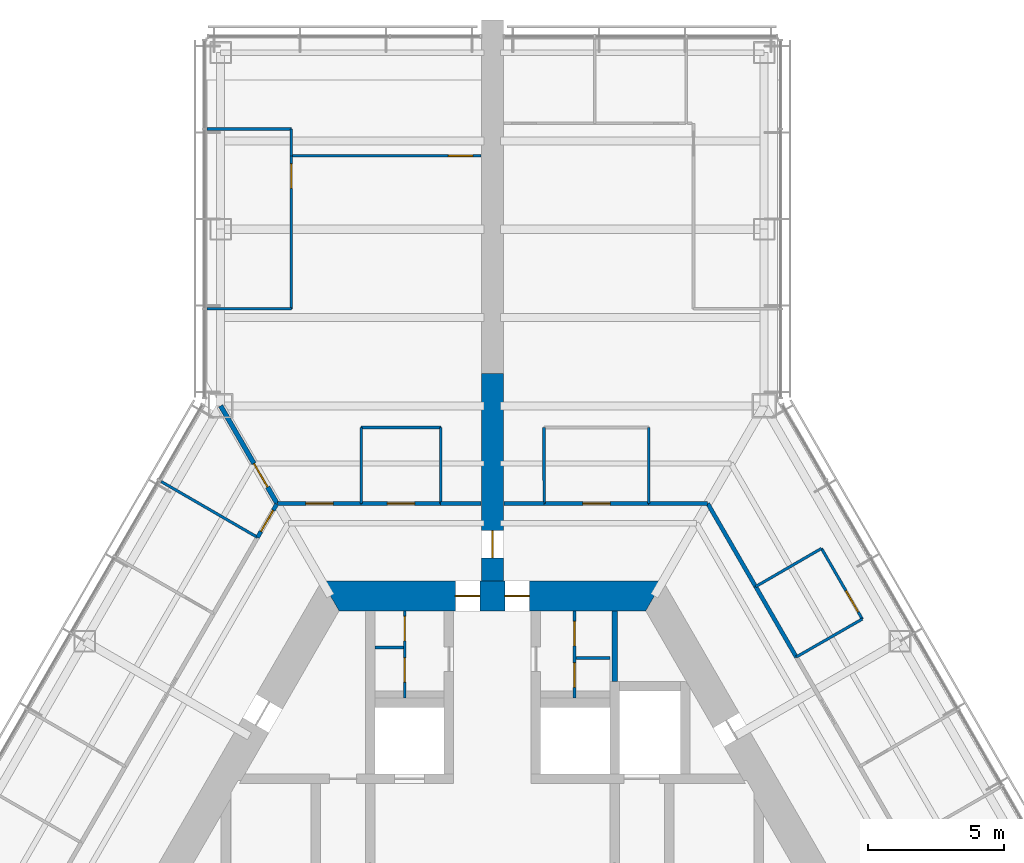
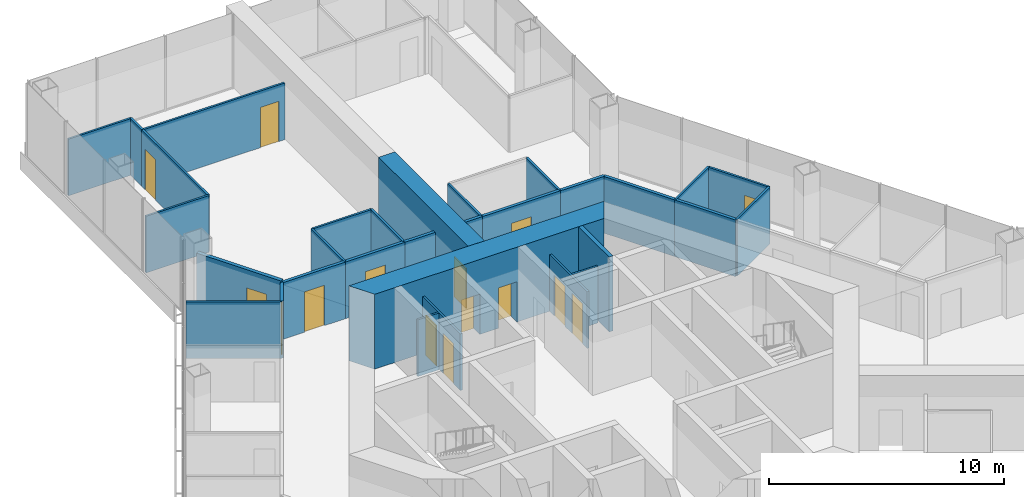
# One storey, part 15 of 19: 31 walls, 15 doors, 15 openings.
"""IFC4 building model written with IfcOpenShell, lengths in metres."""

from ifc_helpers import new_model, si_unit, direction, frame, frame_2d, origin, place, context, subcontext, project, spatial, polyline, rectangle, outline, extrude, material, layer, layer_set, type_object, element, fill, save


model = new_model("IFC4")

# Units and contexts
model_context = context("Model", 3, precision=1e-05, world=origin(), true_north=direction((0.0, 1.0)))
body_context = subcontext(model_context, "Body", "Model", "MODEL_VIEW")
ifc_project = project(units=[si_unit("LENGTHUNIT", "METRE"), si_unit("AREAUNIT", "SQUARE_METRE"), si_unit("VOLUMEUNIT", "CUBIC_METRE"), si_unit("PLANEANGLEUNIT", "RADIAN"), si_unit("MASSUNIT", "GRAM", prefix="KILO")], contexts=[model_context])

# Site, building, storey
site_placement = place(None, origin())
site = spatial("IfcSite", under=ifc_project, at=site_placement, CompositionType="ELEMENT")
building_placement = place(site_placement, origin())
building = spatial("IfcBuilding", under=site, at=building_placement, Name="Kasaneha Research Tower", CompositionType="ELEMENT")
storey_placement = place(building_placement, frame((0.0, 0.0, 100.199951171875)))
storey = spatial("IfcBuildingStorey", under=building, at=storey_placement, Name="L25", CompositionType="ELEMENT", Elevation=100.199951171875)

# Wall, openings, doors
ifc_material_1 = material(Name="Concrete Fc80", Category="concrete")
ifc_layer_1 = layer(ifc_material_1, 1.10009765625)
ifc_layer_set_1 = layer_set([ifc_layer_1], Name="Core wall 1100 Fc80")
wall_type_1 = type_object("IfcWallType", Name="Core wall 1100 Fc80", PredefinedType="SHEAR", material=ifc_layer_set_1)
wall_1_placement = place(storey_placement, frame((5.961181640625, 10.324951171875, 0.0), z_axis=(0.0, 0.0, 1.0), x_axis=(-1.0, 0.0, 0.0)))
wall_1 = element("IfcWall", 1, at=wall_1_placement, inside=storey, type_object=wall_type_1, Name="Core wall 090 L25", PredefinedType="SHEAR", context=body_context, shape_type="SweptSolid", body=[
    extrude(outline(polyline([(-0.317626953125, -0.550048828125), (4.5986328125, -0.550048828125), (5.49853515625, -0.550048828125), (6.423583984375, -0.550048828125), (7.323486328125, -0.550048828125), (12.239990234375, -0.550048828125), (11.604736328125, 0.550048828125), (7.323486328125, 0.550048828125), (6.423583984375, 0.550048828125), (5.49853515625, 0.550048828125), (4.5986328125, 0.550048828125), (0.317626953125, 0.550048828125), (-0.317626953125, -0.550048828125)])), origin(), (0.0, 0.0, 1.0), 3.900146484375),
])
opening_1_placement = place(wall_1_placement, frame((6.423583984375, 0.0, 0.0)))
opening_1 = element("IfcOpeningElement", 2, at=opening_1_placement, cuts=wall_1, Name="Opening L25-D01", PredefinedType="OPENING", context=body_context, shape_type="SweptSolid", body=[
    extrude(rectangle(XDim=0.89990234375, YDim=2.10009765625, at=frame_2d((0.449951171875, 1.050048828125))), frame((0.0, 0.56005859375, 0.0), z_axis=(0.0, -1.0, 0.0), x_axis=(1.0, 0.0, 0.0)), (0.0, 0.0, 1.0), 1.1201171875),
])
opening_2_placement = place(wall_1_placement, frame((4.5986328125, 0.0, 0.0)))
opening_2 = element("IfcOpeningElement", 3, at=opening_2_placement, cuts=wall_1, Name="Opening L25-D02", PredefinedType="OPENING", context=body_context, shape_type="SweptSolid", body=[
    extrude(rectangle(XDim=0.89990234375, YDim=2.10009765625, at=frame_2d((0.449951171875, 1.050048828125))), frame((0.0, 0.56005859375, 0.0), z_axis=(0.0, -1.0, 0.0), x_axis=(1.0, 0.0, 0.0)), (0.0, 0.0, 1.0), 1.1201171875),
])
ifc_material_2 = material(Name="Steel", Category="steel")
door_type_1 = type_object("IfcDoorType", Name="Toilet door FD20 900x2100", OperationType="NOTDEFINED", PredefinedType="DOOR", material=ifc_material_2)
door_1_placement = place(opening_1_placement, origin())
door_1 = element("IfcDoor", 4, at=door_1_placement, inside=storey, type_object=door_type_1, Name="Core door north 1 L25-D01", OperationType="SINGLE_SWING_RIGHT", OverallHeight=2.10009765625, OverallWidth=0.89990234375, PredefinedType="DOOR", context=body_context, shape_type="SweptSolid", body=[
    extrude(rectangle(XDim=0.89990234375, YDim=2.10009765625, at=frame_2d((0.449951171875, 1.050048828125))), frame((0.0, 0.02490234375, 0.0), z_axis=(0.0, -1.0, 0.0), x_axis=(1.0, 0.0, 0.0)), (0.0, 0.0, 1.0), 0.050048828125),
])
fill(opening_1, door_1)
door_2_placement = place(opening_2_placement, origin())
door_2 = element("IfcDoor", 5, at=door_2_placement, inside=storey, type_object=door_type_1, Name="Core door north 2 L25-D02", OperationType="SINGLE_SWING_LEFT", OverallHeight=2.10009765625, OverallWidth=0.89990234375, PredefinedType="DOOR", context=body_context, shape_type="SweptSolid", body=[
    extrude(rectangle(XDim=0.89990234375, YDim=2.10009765625, at=frame_2d((0.449951171875, 1.050048828125))), frame((0.0, 0.02490234375, 0.0), z_axis=(0.0, -1.0, 0.0), x_axis=(1.0, 0.0, 0.0)), (0.0, 0.0, 1.0), 0.050048828125),
])
fill(opening_2, door_2)

ifc_material_3 = material(Name="Gypsum board on steel studs, one layer each side", Category="steel")
ifc_layer_2 = layer(ifc_material_3, 0.10009765625)
ifc_layer_set_2 = layer_set([ifc_layer_2], Name="Office partition 100")
wall_type_2 = type_object("IfcWallType", Name="Office partition 100", PredefinedType="PARTITIONING", material=ifc_layer_set_2)
wall_2_placement = place(storey_placement, frame((-3.22509765625, 6.574951171875, 0.0), z_axis=(0.0, 0.0, 1.0), x_axis=(0.0, 1.0, 0.0)))
wall_2 = element("IfcWall", 6, at=wall_2_placement, inside=storey, type_object=wall_type_2, Name="Office partition TBM1 L25", PredefinedType="PARTITIONING", context=body_context, shape_type="SweptSolid", body=[
    extrude(rectangle(XDim=3.199951171875, YDim=0.10009765625, at=frame_2d((1.60009765625, 0.0))), origin(), (0.0, 0.0, 1.0), 2.949951171875),
])
opening_3_placement = place(wall_2_placement, frame((0.574951171875, 0.0, 0.0)))
opening_3 = element("IfcOpeningElement", 7, at=opening_3_placement, cuts=wall_2, Name="Opening L25-D20", PredefinedType="OPENING", context=body_context, shape_type="SweptSolid", body=[
    extrude(rectangle(XDim=0.89990234375, YDim=2.10009765625, at=frame_2d((0.449951171875, 1.050048828125))), frame((0.0, 0.06005859375, 0.0), z_axis=(0.0, -1.0, 0.0), x_axis=(1.0, 0.0, 0.0)), (0.0, 0.0, 1.0), 0.1201171875),
])
opening_4_placement = place(wall_2_placement, frame((2.10009765625, 0.0, 0.0)))
opening_4 = element("IfcOpeningElement", 8, at=opening_4_placement, cuts=wall_2, Name="Opening L25-D21", PredefinedType="OPENING", context=body_context, shape_type="SweptSolid", body=[
    extrude(rectangle(XDim=0.89990234375, YDim=2.10009765625, at=frame_2d((0.449951171875, 1.050048828125))), frame((0.0, 0.06005859375, 0.0), z_axis=(0.0, -1.0, 0.0), x_axis=(1.0, 0.0, 0.0)), (0.0, 0.0, 1.0), 0.1201171875),
])
ifc_material_4 = material(Name="Steel", Category="steel")
door_type_2 = type_object("IfcDoorType", Name="Toilet lobby door FD30 900x2100", OperationType="NOTDEFINED", PredefinedType="DOOR", material=ifc_material_4)
door_3_placement = place(opening_3_placement, origin())
door_3 = element("IfcDoor", 9, at=door_3_placement, inside=storey, type_object=door_type_2, Name="Men's WC door L25-D20", OperationType="SINGLE_SWING_RIGHT", OverallHeight=2.10009765625, OverallWidth=0.89990234375, PredefinedType="DOOR", context=body_context, shape_type="SweptSolid", body=[
    extrude(rectangle(XDim=0.89990234375, YDim=2.10009765625, at=frame_2d((0.449951171875, 1.050048828125))), frame((0.0, 0.02490234375, 0.0), z_axis=(0.0, -1.0, 0.0), x_axis=(1.0, 0.0, 0.0)), (0.0, 0.0, 1.0), 0.050048828125),
])
fill(opening_3, door_3)
door_4_placement = place(opening_4_placement, origin())
door_4 = element("IfcDoor", 10, at=door_4_placement, inside=storey, type_object=door_type_2, Name="Cleaner's store door L25-D21", OperationType="SINGLE_SWING_RIGHT", OverallHeight=2.10009765625, OverallWidth=0.89990234375, PredefinedType="DOOR", context=body_context, shape_type="SweptSolid", body=[
    extrude(rectangle(XDim=0.89990234375, YDim=2.10009765625, at=frame_2d((0.449951171875, 1.050048828125))), frame((0.0, 0.02490234375, 0.0), z_axis=(0.0, -1.0, 0.0), x_axis=(1.0, 0.0, 0.0)), (0.0, 0.0, 1.0), 0.050048828125),
])
fill(opening_4, door_4)

# Wall
wall_3_placement = place(storey_placement, frame((-3.27490234375, 8.425048828125, 0.0), z_axis=(0.0, 0.0, 1.0), x_axis=(-1.0, 0.0, 0.0)))
element("IfcWall", 11, at=wall_3_placement, inside=storey, type_object=wall_type_2, Name="Office partition TBM2 L25", PredefinedType="PARTITIONING", context=body_context, shape_type="SweptSolid", body=[
    extrude(rectangle(XDim=1.050048828125, YDim=0.10009765625, at=frame_2d((0.52490234375, 0.0))), origin(), (0.0, 0.0, 1.0), 2.949951171875),
])

# Wall, openings, doors
wall_4_placement = place(storey_placement, frame((3.02490234375, 6.574951171875, 0.0), z_axis=(0.0, 0.0, 1.0), x_axis=(0.0, 1.0, 0.0)))
wall_4 = element("IfcWall", 12, at=wall_4_placement, inside=storey, type_object=wall_type_2, Name="Office partition TBF1 L25", PredefinedType="PARTITIONING", context=body_context, shape_type="SweptSolid", body=[
    extrude(rectangle(XDim=3.199951171875, YDim=0.10009765625, at=frame_2d((1.60009765625, 0.0))), origin(), (0.0, 0.0, 1.0), 2.949951171875),
])
opening_5_placement = place(wall_4_placement, frame((0.385009765625, 0.0, 0.0)))
opening_5 = element("IfcOpeningElement", 13, at=opening_5_placement, cuts=wall_4, Name="Opening L25-D22", PredefinedType="OPENING", context=body_context, shape_type="SweptSolid", body=[
    extrude(rectangle(XDim=0.89990234375, YDim=2.10009765625, at=frame_2d((0.449951171875, 1.050048828125))), frame((0.0, 0.06005859375, 0.0), z_axis=(0.0, -1.0, 0.0), x_axis=(1.0, 0.0, 0.0)), (0.0, 0.0, 1.0), 0.1201171875),
])
opening_6_placement = place(wall_4_placement, frame((1.909912109375, 0.0, 0.0)))
opening_6 = element("IfcOpeningElement", 14, at=opening_6_placement, cuts=wall_4, Name="Opening L25-D23", PredefinedType="OPENING", context=body_context, shape_type="SweptSolid", body=[
    extrude(rectangle(XDim=0.89990234375, YDim=2.10009765625, at=frame_2d((0.449951171875, 1.050048828125))), frame((0.0, 0.06005859375, 0.0), z_axis=(0.0, -1.0, 0.0), x_axis=(1.0, 0.0, 0.0)), (0.0, 0.0, 1.0), 0.1201171875),
])
door_5_placement = place(opening_5_placement, origin())
door_5 = element("IfcDoor", 15, at=door_5_placement, inside=storey, type_object=door_type_2, Name="Women's WC door L25-D22", OperationType="SINGLE_SWING_RIGHT", OverallHeight=2.10009765625, OverallWidth=0.89990234375, PredefinedType="DOOR", context=body_context, shape_type="SweptSolid", body=[
    extrude(rectangle(XDim=0.89990234375, YDim=2.10009765625, at=frame_2d((0.449951171875, 1.050048828125))), frame((0.0, 0.02490234375, 0.0), z_axis=(0.0, -1.0, 0.0), x_axis=(1.0, 0.0, 0.0)), (0.0, 0.0, 1.0), 0.050048828125),
])
fill(opening_5, door_5)
door_6_placement = place(opening_6_placement, origin())
door_6 = element("IfcDoor", 16, at=door_6_placement, inside=storey, type_object=door_type_2, Name="Shower room door L25-D23", OperationType="SINGLE_SWING_RIGHT", OverallHeight=2.10009765625, OverallWidth=0.89990234375, PredefinedType="DOOR", context=body_context, shape_type="SweptSolid", body=[
    extrude(rectangle(XDim=0.89990234375, YDim=2.10009765625, at=frame_2d((0.449951171875, 1.050048828125))), frame((0.0, 0.02490234375, 0.0), z_axis=(0.0, -1.0, 0.0), x_axis=(1.0, 0.0, 0.0)), (0.0, 0.0, 1.0), 0.050048828125),
])
fill(opening_6, door_6)

# Walls
wall_5_placement = place(storey_placement, frame((3.074951171875, 8.044921875, 0.0), z_axis=(0.0, 0.0, 1.0), x_axis=(1.0, 0.0, 0.0)))
element("IfcWall", 17, at=wall_5_placement, inside=storey, type_object=wall_type_2, Name="Office partition TBF2 L25", PredefinedType="PARTITIONING", context=body_context, shape_type="SweptSolid", body=[
    extrude(rectangle(XDim=1.25, YDim=0.10009765625, at=frame_2d((0.625, 0.0))), origin(), (0.0, 0.0, 1.0), 2.949951171875),
])
for number, where, z_axis, x_axis, name in (
    (18, (1.904541015625, 13.72509765625, 0.0), (0.0, 0.0, 1.0), (-0.001656781821, 0.999998627536, 0.0), "Office partition FAE10 L25"),
    (19, (5.757080078125, 16.52490234375, 0.0), (0.0, 0.0, 1.0), (-0.001656781821, -0.999998627536, 0.0), "Office partition FAE11 L25"),
):
    element("IfcWall", number, at=place(storey_placement, frame(where, z_axis=z_axis, x_axis=x_axis)), inside=storey, type_object=wall_type_2, Name=name, PredefinedType="PARTITIONING", context=body_context, shape_type="SweptSolid", body=[
        extrude(rectangle(XDim=2.7998046875, YDim=0.10009765625, at=frame_2d((1.39990234375, 0.0))), origin(), (0.0, 0.0, 1.0), 2.949951171875),
    ])
wall_6_placement = place(storey_placement, frame((9.6884765625, 10.669189453125, 0.0), z_axis=(0.0, 0.0, 1.0), x_axis=(0.865233198925, 0.501369635576, 0.0)))
element("IfcWall", 20, at=wall_6_placement, inside=storey, type_object=wall_type_2, Name="Office partition FAE12 L25", PredefinedType="PARTITIONING", context=body_context, shape_type="SweptSolid", body=[
    extrude(rectangle(XDim=2.800048828125, YDim=0.10009765625, at=frame_2d((1.39990234375, 0.0))), origin(), (0.0, 0.0, 1.0), 2.949951171875),
])

# Wall, opening, door
wall_7_placement = place(storey_placement, frame((12.111083984375, 12.072998046875, 0.0), z_axis=(0.0, 0.0, 1.0), x_axis=(0.499990139034, -0.866031096941, 0.0)))
wall_7 = element("IfcWall", 21, at=wall_7_placement, inside=storey, type_object=wall_type_2, Name="Office partition FAE13 L25", PredefinedType="PARTITIONING", context=body_context, shape_type="SweptSolid", body=[
    extrude(rectangle(XDim=3.0, YDim=0.10009765625, at=frame_2d((1.5, 0.0))), origin(), (0.0, 0.0, 1.0), 2.949951171875),
])
opening_7_placement = place(wall_7_placement, frame((1.800048828125, 0.0, 0.0)))
opening_7 = element("IfcOpeningElement", 22, at=opening_7_placement, cuts=wall_7, Name="Opening L25-D30", PredefinedType="OPENING", context=body_context, shape_type="SweptSolid", body=[
    extrude(rectangle(XDim=0.89990234375, YDim=2.10009765625, at=frame_2d((0.449951171875, 1.050048828125))), frame((0.0, 0.06005859375, 0.0), z_axis=(0.0, -1.0, 0.0), x_axis=(1.0, 0.0, 0.0)), (0.0, 0.0, 1.0), 0.1201171875),
])
ifc_material_5 = material(Name="Timber veneer", Category="wood")
door_type_3 = type_object("IfcDoorType", Name="Office door 900x2100", OperationType="SINGLE_SWING_LEFT", PredefinedType="DOOR", material=ifc_material_5)
door_7_placement = place(opening_7_placement, origin())
door_7 = element("IfcDoor", 23, at=door_7_placement, inside=storey, type_object=door_type_3, Name="Pantry door L25-D30", OperationType="SINGLE_SWING_RIGHT", OverallHeight=2.10009765625, OverallWidth=0.89990234375, PredefinedType="DOOR", context=body_context, shape_type="SweptSolid", body=[
    extrude(rectangle(XDim=0.89990234375, YDim=2.10009765625, at=frame_2d((0.449951171875, 1.050048828125))), frame((0.0, 0.02490234375, 0.0), z_axis=(0.0, -1.0, 0.0), x_axis=(1.0, 0.0, 0.0)), (0.0, 0.0, 1.0), 0.050048828125),
])
fill(opening_7, door_7)

# Walls
wall_8_placement = place(storey_placement, frame((13.611083984375, 9.474853515625, 0.0), z_axis=(0.0, 0.0, 1.0), x_axis=(-0.866833758708, -0.498597267105, 0.0)))
element("IfcWall", 24, at=wall_8_placement, inside=storey, type_object=wall_type_2, Name="Office partition FAE14 L25", PredefinedType="PARTITIONING", context=body_context, shape_type="SweptSolid", body=[
    extrude(rectangle(XDim=2.7998046875, YDim=0.10009765625, at=frame_2d((1.39990234375, 0.0))), origin(), (0.0, 0.0, 1.0), 2.949951171875),
])
wall_9_placement = place(storey_placement, frame((-4.8291015625, 16.52490234375, 0.0), z_axis=(0.0, 0.0, 1.0), x_axis=(1.0, 0.0, 0.0)))
element("IfcWall", 25, at=wall_9_placement, inside=storey, type_object=wall_type_2, Name="Office partition FAW04 L25", PredefinedType="PARTITIONING", context=body_context, shape_type="SweptSolid", body=[
    extrude(rectangle(XDim=2.92919921875, YDim=0.10009765625, at=frame_2d((1.464599609375, 0.0))), origin(), (0.0, 0.0, 1.0), 2.949951171875),
])
for number, where, z_axis, x_axis, name in (
    (26, (-4.824462890625, 13.72509765625, 0.0), (0.0, 0.0, 1.0), (-0.001656781821, 0.999998627536, 0.0), "Office partition FAW05 L25"),
    (27, (-1.89990234375, 16.52490234375, 0.0), (0.0, 0.0, 1.0), (-0.001656781821, -0.999998627536, 0.0), "Office partition FAW06 L25"),
):
    element("IfcWall", number, at=place(storey_placement, frame(where, z_axis=z_axis, x_axis=x_axis)), inside=storey, type_object=wall_type_2, Name=name, PredefinedType="PARTITIONING", context=body_context, shape_type="SweptSolid", body=[
        extrude(rectangle(XDim=2.7998046875, YDim=0.10009765625, at=frame_2d((1.39990234375, 0.0))), origin(), (0.0, 0.0, 1.0), 2.949951171875),
    ])
wall_10_placement = place(storey_placement, frame((-10.5, 27.5107421875, 0.0), z_axis=(0.0, 0.0, 1.0), x_axis=(1.0, 0.0, 0.0)))
element("IfcWall", 28, at=wall_10_placement, inside=storey, type_object=wall_type_2, Name="Office partition FAW07 L25", PredefinedType="PARTITIONING", context=body_context, shape_type="SweptSolid", body=[
    extrude(rectangle(XDim=3.10009765625, YDim=0.10009765625, at=frame_2d((1.550048828125, 0.0))), origin(), (0.0, 0.0, 1.0), 2.949951171875),
])
wall_11_placement = place(storey_placement, frame((-7.39990234375, 27.5107421875, 0.0), z_axis=(0.0, 0.0, 1.0), x_axis=(0.0, -1.0, 0.0)))
element("IfcWall", 29, at=wall_11_placement, inside=storey, type_object=wall_type_2, Name="Office partition FAW08 L25", PredefinedType="PARTITIONING", context=body_context, shape_type="SweptSolid", body=[
    extrude(rectangle(XDim=0.996337890625, YDim=0.10009765625, at=frame_2d((0.498046875, 0.0))), origin(), (0.0, 0.0, 1.0), 2.949951171875),
])
wall_12_placement = place(storey_placement, frame((-7.39990234375, 20.89111328125, 0.0), z_axis=(0.0, 0.0, 1.0), x_axis=(-1.0, 0.0, 0.0)))
element("IfcWall", 30, at=wall_12_placement, inside=storey, type_object=wall_type_2, Name="Office partition FAW09 L25", PredefinedType="PARTITIONING", context=body_context, shape_type="SweptSolid", body=[
    extrude(rectangle(XDim=3.10009765625, YDim=0.10009765625, at=frame_2d((1.550048828125, 0.0))), origin(), (0.0, 0.0, 1.0), 2.949951171875),
])

# Wall, opening, door
wall_13_placement = place(storey_placement, frame((-7.39990234375, 26.5244140625, 0.0), z_axis=(0.0, 0.0, 1.0), x_axis=(0.0, -1.0, 0.0)))
wall_13 = element("IfcWall", 31, at=wall_13_placement, inside=storey, type_object=wall_type_2, Name="Office partition FAW10 L25", PredefinedType="PARTITIONING", context=body_context, shape_type="SweptSolid", body=[
    extrude(rectangle(XDim=5.63330078125, YDim=0.10009765625, at=frame_2d((2.816650390625, 0.0))), origin(), (0.0, 0.0, 1.0), 2.949951171875),
])
opening_8_placement = place(wall_13_placement, frame((0.300048828125, 0.0, 0.0)))
opening_8 = element("IfcOpeningElement", 32, at=opening_8_placement, cuts=wall_13, Name="Opening L25-D37", PredefinedType="OPENING", context=body_context, shape_type="SweptSolid", body=[
    extrude(rectangle(XDim=0.89990234375, YDim=2.10009765625, at=frame_2d((0.449951171875, 1.050048828125))), frame((0.0, 0.06005859375, 0.0), z_axis=(0.0, -1.0, 0.0), x_axis=(1.0, 0.0, 0.0)), (0.0, 0.0, 1.0), 0.1201171875),
])
door_8_placement = place(opening_8_placement, origin())
door_8 = element("IfcDoor", 33, at=door_8_placement, inside=storey, type_object=door_type_3, Name="Manager's office door L25-D37", OperationType="SINGLE_SWING_LEFT", OverallHeight=2.10009765625, OverallWidth=0.89990234375, PredefinedType="DOOR", context=body_context, shape_type="SweptSolid", body=[
    extrude(rectangle(XDim=0.89990234375, YDim=2.10009765625, at=frame_2d((0.449951171875, 1.050048828125))), frame((0.0, 0.02490234375, 0.0), z_axis=(0.0, -1.0, 0.0), x_axis=(1.0, 0.0, 0.0)), (0.0, 0.0, 1.0), 0.050048828125),
])
fill(opening_8, door_8)

wall_14_placement = place(storey_placement, frame((-0.419921875, 26.5205078125, 0.0), z_axis=(0.0, 0.0, 1.0), x_axis=(-0.999999843393, 0.000559655724, 0.0)))
wall_14 = element("IfcWall", 34, at=wall_14_placement, inside=storey, type_object=wall_type_2, Name="Office partition FAW11 L25", PredefinedType="PARTITIONING", context=body_context, shape_type="SweptSolid", body=[
    extrude(rectangle(XDim=6.979736328125, YDim=0.10009765625, at=frame_2d((3.48974609375, 0.0))), origin(), (0.0, 0.0, 1.0), 2.949951171875),
])
opening_9_placement = place(wall_14_placement, frame((0.300048828125, 0.0, 0.0)))
opening_9 = element("IfcOpeningElement", 35, at=opening_9_placement, cuts=wall_14, Name="Opening L25-D38", PredefinedType="OPENING", context=body_context, shape_type="SweptSolid", body=[
    extrude(rectangle(XDim=0.89990234375, YDim=2.10009765625, at=frame_2d((0.449951171875, 1.050048828125))), frame((0.0, 0.06005859375, 0.0), z_axis=(0.0, -1.0, 0.0), x_axis=(1.0, 0.0, 0.0)), (0.0, 0.0, 1.0), 0.1201171875),
])
door_9_placement = place(opening_9_placement, origin())
door_9 = element("IfcDoor", 36, at=door_9_placement, inside=storey, type_object=door_type_3, Name="Meeting room door L25-D38", OperationType="SINGLE_SWING_LEFT", OverallHeight=2.10009765625, OverallWidth=0.89990234375, PredefinedType="DOOR", context=body_context, shape_type="SweptSolid", body=[
    extrude(rectangle(XDim=0.89990234375, YDim=2.10009765625, at=frame_2d((0.449951171875, 1.050048828125))), frame((0.0, 0.02490234375, 0.0), z_axis=(0.0, -1.0, 0.0), x_axis=(1.0, 0.0, 0.0)), (0.0, 0.0, 1.0), 0.050048828125),
])
fill(opening_9, door_9)

# Walls
wall_15_placement = place(storey_placement, frame((-12.1865234375, 14.533203125, 0.0), z_axis=(0.0, 0.0, 1.0), x_axis=(0.865415401406, -0.501055069837, 0.0)))
element("IfcWall", 37, at=wall_15_placement, inside=storey, type_object=wall_type_2, Name="Office partition FBN15 L25", PredefinedType="PARTITIONING", context=body_context, shape_type="SweptSolid", body=[
    extrude(rectangle(XDim=4.095458984375, YDim=0.10009765625, at=frame_2d((2.0478515625, 0.0))), origin(), (0.0, 0.0, 1.0), 2.949951171875),
])
ifc_material_6 = material(Name="Concrete block", Category="concrete")
ifc_layer_3 = layer(ifc_material_6, 0.199951171875)
ifc_layer_set_3 = layer_set([ifc_layer_3], Name="Riser enclosure wall 200")
wall_type_3 = type_object("IfcWallType", Name="Riser enclosure wall 200", PredefinedType="STANDARD", material=ifc_layer_set_3)
wall_16_placement = place(storey_placement, frame((4.5, 7.175048828125, 0.0), z_axis=(0.0, 0.0, 1.0), x_axis=(0.0, 1.0, 0.0)))
element("IfcWall", 38, at=wall_16_placement, inside=storey, type_object=wall_type_3, Name="Riser enclosure wall L25", PredefinedType="STANDARD", context=body_context, shape_type="SweptSolid", body=[
    extrude(rectangle(XDim=2.599853515625, YDim=0.199951171875, at=frame_2d((1.2998046875, 0.0))), origin(), (0.0, 0.0, 1.0), 3.900146484375),
])

# Wall, opening, door
ifc_material_7 = material(Name="Concrete Fc80", Category="concrete")
ifc_layer_4 = layer(ifc_material_7, 0.800048828125)
ifc_layer_set_4 = layer_set([ifc_layer_4], Name="Spine wall 800 Fc80")
wall_type_4 = type_object("IfcWallType", Name="Spine wall 800 Fc80", PredefinedType="SHEAR", material=ifc_layer_set_4)
wall_17_placement = place(storey_placement, frame((0.0, 10.875, 0.0), z_axis=(0.0, 0.0, 1.0), x_axis=(0.0, 1.0, 0.0)))
wall_17 = element("IfcWall", 39, at=wall_17_placement, inside=storey, type_object=wall_type_4, Name="Spine wall A L25", PredefinedType="SHEAR", context=body_context, shape_type="SweptSolid", body=[
    extrude(rectangle(XDim=7.6455078125, YDim=0.800048828125, at=frame_2d((3.82275390625, 0.0))), origin(), (0.0, 0.0, 1.0), 3.900146484375),
])
opening_10_placement = place(wall_17_placement, frame((0.85009765625, 0.0, 0.0)))
opening_10 = element("IfcOpeningElement", 40, at=opening_10_placement, cuts=wall_17, Name="Opening L25-D17", PredefinedType="OPENING", context=body_context, shape_type="SweptSolid", body=[
    extrude(rectangle(XDim=1.0, YDim=2.10009765625, at=frame_2d((0.5, 1.050048828125))), frame((0.0, 0.41015625, 0.0), z_axis=(0.0, -1.0, 0.0), x_axis=(1.0, 0.0, 0.0)), (0.0, 0.0, 1.0), 0.820068359375),
])
ifc_material_8 = material(Name="Steel", Category="steel")
door_type_4 = type_object("IfcDoorType", Name="Specified fire door FD60 1000x2100", OperationType="NOTDEFINED", PredefinedType="DOOR", material=ifc_material_8)
door_10_placement = place(opening_10_placement, origin())
door_10 = element("IfcDoor", 41, at=door_10_placement, inside=storey, type_object=door_type_4, Name="Spine doorway A L25-D17", OperationType="SINGLE_SWING_LEFT", OverallHeight=2.10009765625, OverallWidth=1.0, PredefinedType="DOOR", context=body_context, shape_type="SweptSolid", body=[
    extrude(rectangle(XDim=1.0, YDim=2.10009765625, at=frame_2d((0.5, 1.050048828125))), frame((0.0, 0.02490234375, 0.0), z_axis=(0.0, -1.0, 0.0), x_axis=(1.0, 0.0, 0.0)), (0.0, 0.0, 1.0), 0.050048828125),
])
fill(opening_10, door_10)

ifc_material_9 = material(Name="Gypsum board on steel studs, two layers each side", Category="steel")
ifc_layer_5 = layer(ifc_material_9, 0.14990234375)
ifc_layer_set_5 = layer_set([ifc_layer_5], Name="Suite partition 150")
wall_type_5 = type_object("IfcWallType", Name="Suite partition 150", PredefinedType="PARTITIONING", material=ifc_layer_set_5)
wall_18_placement = place(storey_placement, frame((1.89501953125, 13.72509765625, 0.0), z_axis=(0.0, 0.0, 1.0), x_axis=(1.0, 0.0, 0.0)))
wall_18 = element("IfcWall", 42, at=wall_18_placement, inside=storey, type_object=wall_type_5, Name="Suite partition FAE01 L25", PredefinedType="PARTITIONING", context=body_context, shape_type="SweptSolid", body=[
    extrude(rectangle(XDim=3.866943359375, YDim=0.14990234375, at=frame_2d((1.93359375, 0.0))), origin(), (0.0, 0.0, 1.0), 2.949951171875),
])
opening_11_placement = place(wall_18_placement, frame((1.43359375, 0.0, 0.0)))
opening_11 = element("IfcOpeningElement", 43, at=opening_11_placement, cuts=wall_18, Name="Opening L25-D27", PredefinedType="OPENING", context=body_context, shape_type="SweptSolid", body=[
    extrude(rectangle(XDim=1.0, YDim=2.10009765625, at=frame_2d((0.5, 1.050048828125))), frame((0.0, 0.0849609375, 0.0), z_axis=(0.0, -1.0, 0.0), x_axis=(1.0, 0.0, 0.0)), (0.0, 0.0, 1.0), 0.169921875),
])
ifc_material_10 = material(Name="Steel", Category="steel")
door_type_5 = type_object("IfcDoorType", Name="Suite entrance door FD60 1000x2100", OperationType="NOTDEFINED", PredefinedType="DOOR", material=ifc_material_10)
door_11_placement = place(opening_11_placement, origin())
door_11 = element("IfcDoor", 44, at=door_11_placement, inside=storey, type_object=door_type_5, Name="Suite entrance door L25-D27", OperationType="SINGLE_SWING_LEFT", OverallHeight=2.10009765625, OverallWidth=1.0, PredefinedType="DOOR", context=body_context, shape_type="SweptSolid", body=[
    extrude(rectangle(XDim=1.0, YDim=2.10009765625, at=frame_2d((0.5, 1.050048828125))), frame((0.0, 0.02490234375, 0.0), z_axis=(0.0, -1.0, 0.0), x_axis=(1.0, 0.0, 0.0)), (0.0, 0.0, 1.0), 0.050048828125),
])
fill(opening_11, door_11)

# Walls
wall_19_placement = place(storey_placement, frame((9.68359375, 10.67724609375, 0.0), z_axis=(0.0, 0.0, 1.0), x_axis=(0.500038395149, -0.8660032352, 0.0)))
element("IfcWall", 45, at=wall_19_placement, inside=storey, type_object=wall_type_5, Name="Suite partition FAE02 L25", PredefinedType="PARTITIONING", context=body_context, shape_type="SweptSolid", body=[
    extrude(rectangle(XDim=3.010009765625, YDim=0.14990234375, at=frame_2d((1.5048828125, 0.0))), origin(), (0.0, 0.0, 1.0), 2.949951171875),
])
wall_20_placement = place(storey_placement, frame((0.419921875, 13.72509765625, 0.0), z_axis=(0.0, 0.0, 1.0), x_axis=(1.0, 0.0, 0.0)))
element("IfcWall", 46, at=wall_20_placement, inside=storey, type_object=wall_type_5, Name="Suite partition FAE05 L25", PredefinedType="PARTITIONING", context=body_context, shape_type="SweptSolid", body=[
    extrude(rectangle(XDim=1.484619140625, YDim=0.14990234375, at=frame_2d((0.7421875, 0.0))), origin(), (0.0, 0.0, 1.0), 2.949951171875),
])
wall_21_placement = place(storey_placement, frame((5.75244140625, 13.72509765625, 0.0), z_axis=(0.0, 0.0, 1.0), x_axis=(1.0, 0.0, 0.0)))
element("IfcWall", 47, at=wall_21_placement, inside=storey, type_object=wall_type_5, Name="Suite partition FAE06 L25", PredefinedType="PARTITIONING", context=body_context, shape_type="SweptSolid", body=[
    extrude(rectangle(XDim=2.171630859375, YDim=0.14990234375, at=frame_2d((1.0859375, 0.0))), origin(), (0.0, 0.0, 1.0), 2.949951171875),
])
wall_22_placement = place(storey_placement, frame((7.924072265625, 13.72509765625, 0.0), z_axis=(0.0, 0.0, 1.0), x_axis=(0.500015913693, -0.866016215815, 0.0)))
element("IfcWall", 48, at=wall_22_placement, inside=storey, type_object=wall_type_5, Name="Suite partition FAE07 L25", PredefinedType="PARTITIONING", context=body_context, shape_type="SweptSolid", body=[
    extrude(rectangle(XDim=3.52880859375, YDim=0.14990234375, at=frame_2d((1.764404296875, 0.0))), origin(), (0.0, 0.0, 1.0), 2.949951171875),
])

# Wall, opening, door
wall_23_placement = place(storey_placement, frame((-4.833984375, 13.72509765625, 0.0), z_axis=(0.0, 0.0, 1.0), x_axis=(1.0, 0.0, 0.0)))
wall_23 = element("IfcWall", 49, at=wall_23_placement, inside=storey, type_object=wall_type_5, Name="Suite partition FAW01 L25", PredefinedType="PARTITIONING", context=body_context, shape_type="SweptSolid", body=[
    extrude(rectangle(XDim=2.93896484375, YDim=0.14990234375, at=frame_2d((1.469482421875, 0.0))), origin(), (0.0, 0.0, 1.0), 2.949951171875),
])
opening_12_placement = place(wall_23_placement, frame((0.969482421875, 0.0, 0.0)))
opening_12 = element("IfcOpeningElement", 50, at=opening_12_placement, cuts=wall_23, Name="Opening L25-D35", PredefinedType="OPENING", context=body_context, shape_type="SweptSolid", body=[
    extrude(rectangle(XDim=1.0, YDim=2.10009765625, at=frame_2d((0.5, 1.050048828125))), frame((0.0, 0.0849609375, 0.0), z_axis=(0.0, -1.0, 0.0), x_axis=(1.0, 0.0, 0.0)), (0.0, 0.0, 1.0), 0.169921875),
])
door_12_placement = place(opening_12_placement, origin())
door_12 = element("IfcDoor", 51, at=door_12_placement, inside=storey, type_object=door_type_5, Name="Suite entrance door L25-D35", OperationType="SINGLE_SWING_RIGHT", OverallHeight=2.10009765625, OverallWidth=1.0, PredefinedType="DOOR", context=body_context, shape_type="SweptSolid", body=[
    extrude(rectangle(XDim=1.0, YDim=2.10009765625, at=frame_2d((0.5, 1.050048828125))), frame((0.0, 0.02490234375, 0.0), z_axis=(0.0, -1.0, 0.0), x_axis=(1.0, 0.0, 0.0)), (0.0, 0.0, 1.0), 0.050048828125),
])
fill(opening_12, door_12)

wall_24_placement = place(storey_placement, frame((-7.90087890625, 13.72509765625, 0.0), z_axis=(0.0, 0.0, 1.0), x_axis=(1.0, 0.0, 0.0)))
wall_24 = element("IfcWall", 52, at=wall_24_placement, inside=storey, type_object=wall_type_5, Name="Suite partition FAW02 L25", PredefinedType="PARTITIONING", context=body_context, shape_type="SweptSolid", body=[
    extrude(rectangle(XDim=3.076416015625, YDim=0.14990234375, at=frame_2d((1.5380859375, 0.0))), origin(), (0.0, 0.0, 1.0), 2.949951171875),
])
opening_13_placement = place(wall_24_placement, frame((1.0380859375, 0.0, 0.0)))
opening_13 = element("IfcOpeningElement", 53, at=opening_13_placement, cuts=wall_24, Name="Opening L25-D36", PredefinedType="OPENING", context=body_context, shape_type="SweptSolid", body=[
    extrude(rectangle(XDim=1.0, YDim=2.10009765625, at=frame_2d((0.5, 1.050048828125))), frame((0.0, 0.0849609375, 0.0), z_axis=(0.0, -1.0, 0.0), x_axis=(1.0, 0.0, 0.0)), (0.0, 0.0, 1.0), 0.169921875),
])
door_13_placement = place(opening_13_placement, origin())
door_13 = element("IfcDoor", 54, at=door_13_placement, inside=storey, type_object=door_type_5, Name="Suite entrance door L25-D36", OperationType="SINGLE_SWING_LEFT", OverallHeight=2.10009765625, OverallWidth=1.0, PredefinedType="DOOR", context=body_context, shape_type="SweptSolid", body=[
    extrude(rectangle(XDim=1.0, YDim=2.10009765625, at=frame_2d((0.5, 1.050048828125))), frame((0.0, 0.02490234375, 0.0), z_axis=(0.0, -1.0, 0.0), x_axis=(1.0, 0.0, 0.0)), (0.0, 0.0, 1.0), 0.050048828125),
])
fill(opening_13, door_13)

# Wall
wall_25_placement = place(storey_placement, frame((-1.904541015625, 13.72509765625, 0.0), z_axis=(0.0, 0.0, 1.0), x_axis=(1.0, 0.0, 0.0)))
element("IfcWall", 55, at=wall_25_placement, inside=storey, type_object=wall_type_5, Name="Suite partition FAW03 L25", PredefinedType="PARTITIONING", context=body_context, shape_type="SweptSolid", body=[
    extrude(rectangle(XDim=1.484619140625, YDim=0.14990234375, at=frame_2d((0.7421875, 0.0))), origin(), (0.0, 0.0, 1.0), 2.949951171875),
])

# Wall, opening, door
wall_26_placement = place(storey_placement, frame((-8.642333984375, 12.481201171875, 0.0), z_axis=(0.0, 0.0, 1.0), x_axis=(0.499966713218, 0.866044621064, 0.0)))
wall_26 = element("IfcWall", 56, at=wall_26_placement, inside=storey, type_object=wall_type_5, Name="Suite partition FBN03 L25", PredefinedType="PARTITIONING", context=body_context, shape_type="SweptSolid", body=[
    extrude(rectangle(XDim=1.4130859375, YDim=0.14990234375, at=frame_2d((0.70654296875, 0.0))), origin(), (0.0, 0.0, 1.0), 2.949951171875),
])
opening_14_placement = place(wall_26_placement, frame((0.25, 0.0, 0.0)))
opening_14 = element("IfcOpeningElement", 57, at=opening_14_placement, cuts=wall_26, Name="Opening L25-D39", PredefinedType="OPENING", context=body_context, shape_type="SweptSolid", body=[
    extrude(rectangle(XDim=0.89990234375, YDim=2.10009765625, at=frame_2d((0.449951171875, 1.050048828125))), frame((0.0, 0.0849609375, 0.0), z_axis=(0.0, -1.0, 0.0), x_axis=(1.0, 0.0, 0.0)), (0.0, 0.0, 1.0), 0.169921875),
])
door_14_placement = place(opening_14_placement, origin())
door_14 = element("IfcDoor", 58, at=door_14_placement, inside=storey, type_object=door_type_3, Name="Workroom door L25-D39", OperationType="SINGLE_SWING_LEFT", OverallHeight=2.10009765625, OverallWidth=0.89990234375, PredefinedType="DOOR", context=body_context, shape_type="SweptSolid", body=[
    extrude(rectangle(XDim=0.89990234375, YDim=2.10009765625, at=frame_2d((0.449951171875, 1.050048828125))), frame((0.0, 0.02490234375, 0.0), z_axis=(0.0, -1.0, 0.0), x_axis=(1.0, 0.0, 0.0)), (0.0, 0.0, 1.0), 0.050048828125),
])
fill(opening_14, door_14)

ifc_material_11 = material(Name="Gypsum board on steel studs, two layers each side", Category="steel")
ifc_layer_6 = layer(ifc_material_11, 0.175048828125)
ifc_layer_set_6 = layer_set([ifc_layer_6], Name="Tenancy fire partition 175")
wall_type_6 = type_object("IfcWallType", Name="Tenancy fire partition 175", PredefinedType="PARTITIONING", material=ifc_layer_set_6)
wall_27_placement = place(storey_placement, frame((-7.924072265625, 13.72509765625, 0.0), z_axis=(0.0, 0.0, 1.0), x_axis=(-0.500015991208, 0.866016171059, 0.0)))
wall_27 = element("IfcWall", 59, at=wall_27_placement, inside=storey, type_object=wall_type_6, Name="Tenancy fire partition T120 L25", PredefinedType="PARTITIONING", context=body_context, shape_type="SweptSolid", body=[
    extrude(rectangle(XDim=4.151611328125, YDim=0.175048828125, at=frame_2d((2.07568359375, 0.0))), origin(), (0.0, 0.0, 1.0), 3.050048828125),
])
opening_15_placement = place(wall_27_placement, frame((0.699951171875, 0.0, 0.0)))
opening_15 = element("IfcOpeningElement", 60, at=opening_15_placement, cuts=wall_27, Name="Opening L25-D25", PredefinedType="OPENING", context=body_context, shape_type="SweptSolid", body=[
    extrude(rectangle(XDim=1.0, YDim=2.10009765625, at=frame_2d((0.5, 1.050048828125))), frame((0.0, 0.09765625, 0.0), z_axis=(0.0, -1.0, 0.0), x_axis=(1.0, 0.0, 0.0)), (0.0, 0.0, 1.0), 0.195068359375),
])
door_15_placement = place(opening_15_placement, origin())
door_15 = element("IfcDoor", 61, at=door_15_placement, inside=storey, type_object=door_type_5, Name="Connecting door L25-D25", OperationType="SINGLE_SWING_LEFT", OverallHeight=2.10009765625, OverallWidth=1.0, PredefinedType="DOOR", context=body_context, shape_type="SweptSolid", body=[
    extrude(rectangle(XDim=1.0, YDim=2.10009765625, at=frame_2d((0.5, 1.050048828125))), frame((0.0, 0.02490234375, 0.0), z_axis=(0.0, -1.0, 0.0), x_axis=(1.0, 0.0, 0.0)), (0.0, 0.0, 1.0), 0.050048828125),
])
fill(opening_15, door_15)

save(model, "model.ifc")
